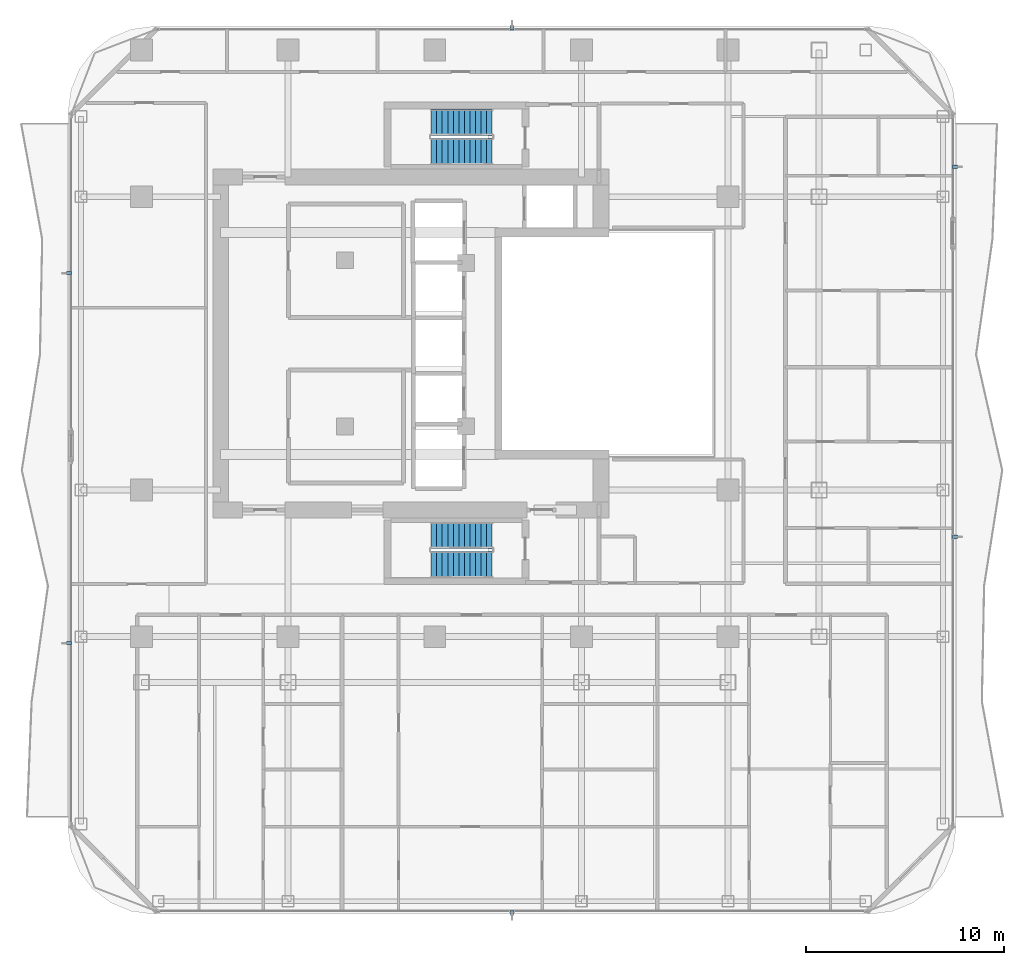
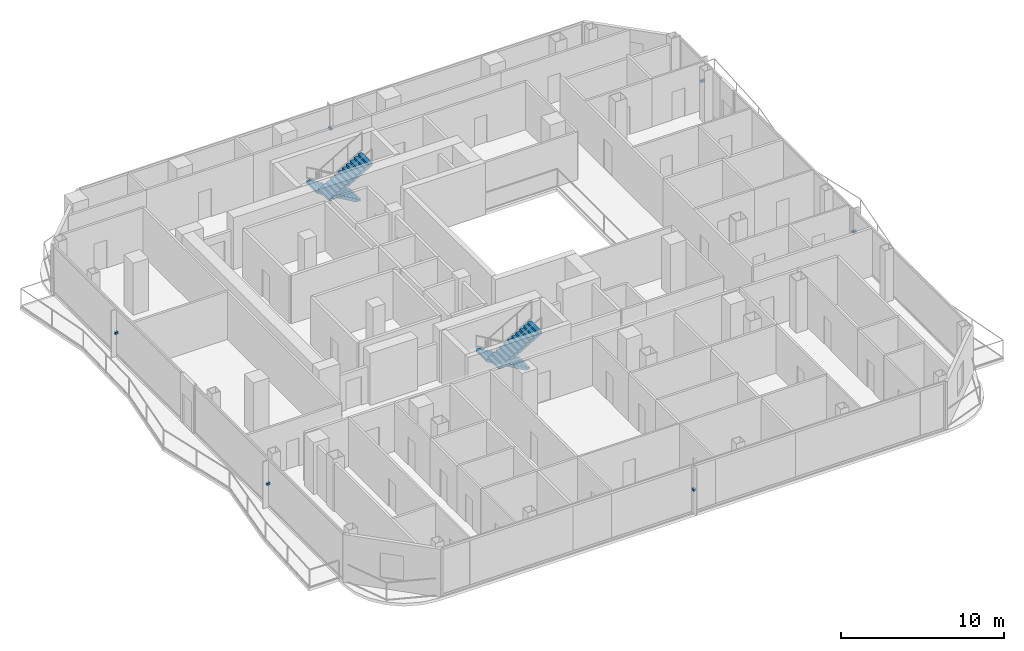
# One storey, part 24 of 27: 6 discrete accessories, 4 stair flights, 2 elements without a shape of their own.
"""IFC4 building model written with IfcOpenShell, lengths in metres."""

import ifcopenshell
import ifcopenshell.guid

model = None  # the IFC model being written
_history = None  # IfcOwnerHistory: only IFC2X3 demands one
_inside = {}  # id of a spatial element -> (the spatial element, [elements in it])
_under = {}  # id of a project, library or spatial element -> (it, [spatial elements below it])
_declared = {}  # id of a project -> (the project, [libraries it declares])
_typed = {}  # id of a type object -> (the type object, [elements of that type])
_made_of = {}  # id of a material, layer set ... -> (it, [elements and type objects made of it])


def new_model(schema):
    """Start an empty IFC model of exactly this schema.

    Asked for "IFC4X3", IfcOpenShell would pick the latest addendum, in which some entities
    have other attributes; the version numbers below select the first issue.
    IFC2X3 requires an IfcOwnerHistory on every rooted entity: one is made here for all.
    """
    global model, _history
    if schema == "IFC4X3":
        model = ifcopenshell.file(schema_version=(4, 3, 0, 0))
    else:
        model = ifcopenshell.file(schema=schema)
    _inside.clear()
    _under.clear()
    _declared.clear()
    _typed.clear()
    _made_of.clear()
    _history = None
    if model.schema == "IFC2X3":
        org = make("IfcOrganization", Name="unknown")
        user = make(
            "IfcPersonAndOrganization",
            ThePerson=make("IfcPerson", FamilyName="unknown"),
            TheOrganization=org,
        )
        app = make(
            "IfcApplication",
            ApplicationDeveloper=org,
            Version="unknown",
            ApplicationFullName="unknown",
            ApplicationIdentifier="unknown",
        )
        _history = make(
            "IfcOwnerHistory",
            OwningUser=user,
            OwningApplication=app,
            ChangeAction="ADDED",
            CreationDate=0,
        )
    return model


def make(cls, **values):
    """One entity of the class cls with the attributes given. An attribute that is None is left unset."""
    return model.create_entity(
        cls, **{name: value for name, value in values.items() if value is not None}
    )


def rooted(cls, **values):
    """An entity with a GlobalId (a new one), such as an element, a storey or a relation."""
    return make(cls, GlobalId=ifcopenshell.guid.new(), OwnerHistory=_history, **values)


def si_unit(unit_type, name, prefix=None):
    """IfcSIUnit, for example si_unit("LENGTHUNIT", "METRE", prefix="MILLI")."""
    return make("IfcSIUnit", UnitType=unit_type, Prefix=prefix, Name=name)


def assignment(units):
    """IfcUnitAssignment: the units of a project."""
    return None if units is None else make("IfcUnitAssignment", Units=units)


def point(xyz):
    """IfcCartesianPoint."""
    return None if xyz is None else make("IfcCartesianPoint", Coordinates=xyz)


def direction(xyz):
    """IfcDirection."""
    return None if xyz is None else make("IfcDirection", DirectionRatios=xyz)


def frame(location, z_axis=None, x_axis=None):
    """IfcAxis2Placement3D, a coordinate frame: its origin and axes. An axis left out is left unset."""
    return make(
        "IfcAxis2Placement3D",
        Location=point(location),
        Axis=direction(z_axis),
        RefDirection=direction(x_axis),
    )


def frame_2d(location, x_axis=None):
    """IfcAxis2Placement2D, a coordinate frame in the plane: its origin and x axis."""
    return make(
        "IfcAxis2Placement2D", Location=point(location), RefDirection=direction(x_axis)
    )


def origin():
    """The frame at (0, 0, 0) with its axes left unset."""
    return frame((0.0, 0.0, 0.0))


def origin_2d():
    """The frame at (0, 0) in the plane with its x axis left unset."""
    return frame_2d((0.0, 0.0))


def place(relative_to, where):
    """IfcLocalPlacement: puts the frame where relative to a parent placement (None: the world)."""
    return make(
        "IfcLocalPlacement", PlacementRelTo=relative_to, RelativePlacement=where
    )


def context(
    kind, dimensions, precision=None, world=None, true_north=None, identifier=None
):
    """IfcGeometricRepresentationContext, for example the 3D "Model" context."""
    return make(
        "IfcGeometricRepresentationContext",
        ContextIdentifier=identifier,
        ContextType=kind,
        CoordinateSpaceDimension=dimensions,
        Precision=precision,
        WorldCoordinateSystem=world,
        TrueNorth=true_north,
    )


def subcontext(parent, identifier, kind, view, scale=None):
    """IfcGeometricRepresentationSubContext, for example "Body" below "Model"."""
    return make(
        "IfcGeometricRepresentationSubContext",
        ContextIdentifier=identifier,
        ContextType=kind,
        ParentContext=parent,
        TargetScale=scale,
        TargetView=view,
    )


def project(units=None, contexts=None):
    """IfcProject with its units and contexts."""
    return rooted(
        "IfcProject",
        Name="project",
        RepresentationContexts=contexts,
        UnitsInContext=assignment(units),
    )


def spatial(cls, under=None, at=None, **own):
    """A site, building, storey or space (cls), placed at a placement, below another one or the project."""
    s = rooted(cls, ObjectPlacement=at, **own)
    if under is not None:
        _under.setdefault(under.id(), (under, []))[1].append(s)
    return s


def polyline(points):
    """IfcPolyline through the points."""
    return make("IfcPolyline", Points=[point(p) for p in points])


def profile(cls, at=None, kind="AREA", **sizes):
    """A parametric profile (cls). Its sizes go by their IFC names, for example OverallWidth=200.0."""
    return make(cls, ProfileType=kind, Position=at, **sizes)


def rectangle(**sizes):
    """IfcRectangleProfileDef."""
    return profile("IfcRectangleProfileDef", **sizes)


def outline(outer, holes=None, kind="AREA"):
    """IfcArbitraryClosedProfileDef: a profile drawn as a closed curve; with holes, ...WithVoids."""
    if holes is None:
        return make("IfcArbitraryClosedProfileDef", ProfileType=kind, OuterCurve=outer)
    return make(
        "IfcArbitraryProfileDefWithVoids",
        ProfileType=kind,
        OuterCurve=outer,
        InnerCurves=holes,
    )


def extrude(swept, where, along, depth):
    """IfcExtrudedAreaSolid: the profile swept, set in the frame where, extruded along a direction by depth."""
    return make(
        "IfcExtrudedAreaSolid",
        SweptArea=swept,
        Position=where,
        ExtrudedDirection=direction(along),
        Depth=depth,
    )


def shape(context_of_items, identifier, shape_type, items):
    """IfcShapeRepresentation: the items that make up one representation, for example the "Body"."""
    return make(
        "IfcShapeRepresentation",
        ContextOfItems=context_of_items,
        RepresentationIdentifier=identifier,
        RepresentationType=shape_type,
        Items=items,
    )


def material(Name=None, Category=None):
    """IfcMaterial."""
    return make("IfcMaterial", Name=Name, Category=Category)


def made_of(thing, what):
    """Note that an element or type object is made of a material, layer set ...; save() writes the relation."""
    if what is not None:
        _made_of.setdefault(what.id(), (what, []))[1].append(thing)
    return thing


def type_object(cls, material=None, **own):
    """A type object (cls), such as IfcWallType, which elements share."""
    return made_of(rooted(cls, **own), material)


def element(
    cls,
    number,
    at=None,
    inside=None,
    cuts=None,
    type_object=None,
    material=None,
    context=None,
    identifier="Body",
    shape_type=None,
    held_by="IfcProductDefinitionShape",
    body=None,
    shapes=None,
    **own,
):
    """One element of the class cls, such as IfcWall. Its Tag is "e" and its number.

    at: its placement. inside: the storey or other place that contains it. cuts: it is an
    opening in that element (IfcRelVoidsElement). A single representation is given by context,
    identifier, shape_type and body (its items); several are given by shapes. held_by: the class
    of the entity that holds the representations. save() writes the other relations.
    """
    e = rooted(cls, Tag="e%d" % number, ObjectPlacement=at, **own)
    if body is not None:
        shapes = [shape(context, identifier, shape_type, body)]
    if shapes is not None:
        e.Representation = make(held_by, Representations=shapes)
    if inside is not None:
        _inside.setdefault(inside.id(), (inside, []))[1].append(e)
    if cuts is not None:
        rooted(
            "IfcRelVoidsElement", RelatingBuildingElement=cuts, RelatedOpeningElement=e
        )
    if type_object is not None:
        _typed.setdefault(type_object.id(), (type_object, []))[1].append(e)
    return made_of(e, material)


def aggregate(whole, parts):
    """IfcRelAggregates: a whole, such as a stair, and the parts it consists of."""
    return rooted("IfcRelAggregates", RelatingObject=whole, RelatedObjects=parts)


def save(model, path):
    """Write the relations noted so far, then the file.

    IfcRelAggregates (storeys below a building ...), IfcRelContainedInSpatialStructure (elements
    in a storey), IfcRelDefinesByType, IfcRelAssociatesMaterial and IfcRelDeclares: one each for
    every whole, place, type object, material and project.
    """
    for whole, parts in _under.values():
        aggregate(whole, parts)
    for where, things in _inside.values():
        rooted(
            "IfcRelContainedInSpatialStructure",
            RelatedElements=things,
            RelatingStructure=where,
        )
    for kind, things in _typed.values():
        rooted("IfcRelDefinesByType", RelatedObjects=things, RelatingType=kind)
    for what, things in _made_of.values():
        rooted("IfcRelAssociatesMaterial", RelatedObjects=things, RelatingMaterial=what)
    for by, libraries in _declared.values():
        rooted("IfcRelDeclares", RelatingContext=by, RelatedDefinitions=libraries)
    model.write(path)


model = new_model("IFC4")

# Units and contexts
model_context = context("Model", 3, precision=1e-05, world=origin(), true_north=direction((0.0, 1.0)))
body_context = subcontext(model_context, "Body", "Model", "MODEL_VIEW")
ifc_project = project(units=[si_unit("LENGTHUNIT", "METRE"), si_unit("AREAUNIT", "SQUARE_METRE"), si_unit("VOLUMEUNIT", "CUBIC_METRE"), si_unit("PLANEANGLEUNIT", "RADIAN"), si_unit("MASSUNIT", "GRAM", prefix="KILO")], contexts=[model_context])

# Site, building, storey
site_placement = place(None, origin())
site = spatial("IfcSite", under=ifc_project, at=site_placement, CompositionType="ELEMENT")
building_placement = place(site_placement, origin())
building = spatial("IfcBuilding", under=site, at=building_placement, Name="Khorvyn Point Tower", CompositionType="ELEMENT")
storey_placement = place(building_placement, frame((0.0, 0.0, 231.300048828125)))
storey = spatial("IfcBuildingStorey", under=building, at=storey_placement, Name="L57", CompositionType="ELEMENT", Elevation=231.300048828125)

# Stair, stair flights
ifc_material_1 = material(Name="Concrete C40/50", Category="concrete")
stair_type = type_object("IfcStairType", Name="Tower Concrete C40/50 Dogleg Exit Stair", PredefinedType="HALF_TURN_STAIR", material=ifc_material_1)
stair_1_placement = place(storey_placement, origin())
stair_1 = element("IfcStair", 1, at=stair_1_placement, inside=storey, type_object=stair_type, Name="L57 Tower Smokeproof Exit Stair South", PredefinedType="HALF_TURN_STAIR")
stair_flight_type = type_object("IfcStairFlightType", Name="Tower Concrete C40/50 Stair Flight", PredefinedType="STRAIGHT", material=ifc_material_1)
stair_flight_1_placement = place(storey_placement, frame((2.89990234375, -9.679931640625, 0.0), z_axis=(0.0, 0.0, 1.0), x_axis=(-1.0, 0.0, 0.0)))
stair_flight_1 = element("IfcStairFlight", 2, at=stair_flight_1_placement, type_object=stair_flight_type, Name="ST-01 flight 1", NumberOfRisers=12, NumberOfTreads=11, PredefinedType="STRAIGHT", RiserHeight=0.1625, TreadLength=0.28, context=body_context, shape_type="SweptSolid", body=[
    extrude(outline(polyline([(0.0, 0.0), (0.0, 0.16259765625), (0.280029296875, 0.16259765625), (0.280029296875, 0.324951171875), (0.56005859375, 0.324951171875), (0.56005859375, 0.487548828125), (0.840087890625, 0.487548828125), (0.840087890625, 0.64990234375), (1.1201171875, 0.64990234375), (1.1201171875, 0.8125), (1.39990234375, 0.8125), (1.39990234375, 0.97509765625), (1.679931640625, 0.97509765625), (1.679931640625, 1.137451171875), (1.9599609375, 1.137451171875), (1.9599609375, 1.300048828125), (2.239990234375, 1.300048828125), (2.239990234375, 1.46240234375), (2.52001953125, 1.46240234375), (2.52001953125, 1.625), (2.800048828125, 1.625), (2.800048828125, 1.78759765625), (3.080078125, 1.78759765625), (3.080078125, 1.949951171875), (3.080078125, 1.6142578125), (0.298583984375, 0.0), (0.0, 0.0)])), frame((0.0, 0.66015625, 0.0), z_axis=(0.0, -1.0, 0.0), x_axis=(1.0, 0.0, 0.0)), (0.0, 0.0, 1.0), 1.320068359375),
])
stair_flight_2_placement = place(storey_placement, frame((-0.179931640625, -11.159912109375, 1.949951171875), z_axis=(0.0, 0.0, 1.0), x_axis=(1.0, 0.0, 0.0)))
stair_flight_2 = element("IfcStairFlight", 3, at=stair_flight_2_placement, type_object=stair_flight_type, Name="ST-01 flight 2", NumberOfRisers=12, NumberOfTreads=11, PredefinedType="STRAIGHT", RiserHeight=0.1625, TreadLength=0.28, context=body_context, shape_type="SweptSolid", body=[
    extrude(outline(polyline([(0.0, 0.0), (0.0, 0.16259765625), (0.280029296875, 0.16259765625), (0.280029296875, 0.324951171875), (0.56005859375, 0.324951171875), (0.56005859375, 0.487548828125), (0.840087890625, 0.487548828125), (0.840087890625, 0.64990234375), (1.1201171875, 0.64990234375), (1.1201171875, 0.8125), (1.39990234375, 0.8125), (1.39990234375, 0.97509765625), (1.679931640625, 0.97509765625), (1.679931640625, 1.137451171875), (1.9599609375, 1.137451171875), (1.9599609375, 1.300048828125), (2.239990234375, 1.300048828125), (2.239990234375, 1.46240234375), (2.52001953125, 1.46240234375), (2.52001953125, 1.625), (2.800048828125, 1.625), (2.800048828125, 1.78759765625), (3.080078125, 1.78759765625), (3.080078125, 1.949951171875), (3.080078125, 1.6142578125), (0.298583984375, 0.0), (0.0, 0.0)])), frame((0.0, 0.66015625, 0.0), z_axis=(0.0, -1.0, 0.0), x_axis=(1.0, 0.0, 0.0)), (0.0, 0.0, 1.0), 1.320068359375),
])
aggregate(stair_1, [stair_flight_1, stair_flight_2])

stair_2_placement = place(storey_placement, origin())
stair_2 = element("IfcStair", 4, at=stair_2_placement, inside=storey, type_object=stair_type, Name="L57 Tower Smokeproof Exit Stair North", PredefinedType="HALF_TURN_STAIR")
stair_flight_3_placement = place(storey_placement, frame((2.89990234375, 11.159912109375, 0.0), z_axis=(0.0, 0.0, 1.0), x_axis=(-1.0, 0.0, 0.0)))
stair_flight_3 = element("IfcStairFlight", 5, at=stair_flight_3_placement, type_object=stair_flight_type, Name="ST-02 flight 1", NumberOfRisers=12, NumberOfTreads=11, PredefinedType="STRAIGHT", RiserHeight=0.1625, TreadLength=0.28, context=body_context, shape_type="SweptSolid", body=[
    extrude(outline(polyline([(0.0, 0.0), (0.0, 0.16259765625), (0.280029296875, 0.16259765625), (0.280029296875, 0.324951171875), (0.56005859375, 0.324951171875), (0.56005859375, 0.487548828125), (0.840087890625, 0.487548828125), (0.840087890625, 0.64990234375), (1.1201171875, 0.64990234375), (1.1201171875, 0.8125), (1.39990234375, 0.8125), (1.39990234375, 0.97509765625), (1.679931640625, 0.97509765625), (1.679931640625, 1.137451171875), (1.9599609375, 1.137451171875), (1.9599609375, 1.300048828125), (2.239990234375, 1.300048828125), (2.239990234375, 1.46240234375), (2.52001953125, 1.46240234375), (2.52001953125, 1.625), (2.800048828125, 1.625), (2.800048828125, 1.78759765625), (3.080078125, 1.78759765625), (3.080078125, 1.949951171875), (3.080078125, 1.6142578125), (0.298583984375, 0.0), (0.0, 0.0)])), frame((0.0, 0.66015625, 0.0), z_axis=(0.0, -1.0, 0.0), x_axis=(1.0, 0.0, 0.0)), (0.0, 0.0, 1.0), 1.320068359375),
])
stair_flight_4_placement = place(storey_placement, frame((-0.179931640625, 9.679931640625, 1.949951171875), z_axis=(0.0, 0.0, 1.0), x_axis=(1.0, 0.0, 0.0)))
stair_flight_4 = element("IfcStairFlight", 6, at=stair_flight_4_placement, type_object=stair_flight_type, Name="ST-02 flight 2", NumberOfRisers=12, NumberOfTreads=11, PredefinedType="STRAIGHT", RiserHeight=0.1625, TreadLength=0.28, context=body_context, shape_type="SweptSolid", body=[
    extrude(outline(polyline([(0.0, 0.0), (0.0, 0.16259765625), (0.280029296875, 0.16259765625), (0.280029296875, 0.324951171875), (0.56005859375, 0.324951171875), (0.56005859375, 0.487548828125), (0.840087890625, 0.487548828125), (0.840087890625, 0.64990234375), (1.1201171875, 0.64990234375), (1.1201171875, 0.8125), (1.39990234375, 0.8125), (1.39990234375, 0.97509765625), (1.679931640625, 0.97509765625), (1.679931640625, 1.137451171875), (1.9599609375, 1.137451171875), (1.9599609375, 1.300048828125), (2.239990234375, 1.300048828125), (2.239990234375, 1.46240234375), (2.52001953125, 1.46240234375), (2.52001953125, 1.625), (2.800048828125, 1.625), (2.800048828125, 1.78759765625), (3.080078125, 1.78759765625), (3.080078125, 1.949951171875), (3.080078125, 1.6142578125), (0.298583984375, 0.0), (0.0, 0.0)])), frame((0.0, 0.66015625, 0.0), z_axis=(0.0, -1.0, 0.0), x_axis=(1.0, 0.0, 0.0)), (0.0, 0.0, 1.0), 1.320068359375),
])
aggregate(stair_2, [stair_flight_3, stair_flight_4])

# Discrete accessories
ifc_material_2 = material(Name="Stainless steel 1.4401", Category="steel")
discrete_accessory_type = type_object("IfcDiscreteAccessoryType", Name="Stainless Steel 316 Facade Fin Fixing Bracket", PredefinedType="BRACKET", material=ifc_material_2)
for number, where, z_axis, x_axis, name in (
    (7, (3.89990234375, -28.75, 1.72021484375), (0.0, 0.0, 1.0), (-1.0, 0.0, 0.0), "L57 Solar Fin Fixing Bracket 01"),
    (8, (3.89990234375, 15.949951171875, 1.72021484375), (0.0, 0.0, 1.0), (1.0, 0.0, 0.0), "L57 Solar Fin Fixing Bracket 01"),
    (9, (-18.449951171875, -15.125, 1.72021484375), (0.0, 0.0, 1.0), (0.0, 1.0, 0.0), "L57 Solar Fin Fixing Bracket 01"),
    (10, (-18.449951171875, 3.544921875, 1.72021484375), (0.0, 0.0, 1.0), (0.0, 1.0, 0.0), "L57 Solar Fin Fixing Bracket 01"),
    (11, (26.25, 8.916015625, 1.72021484375), (0.0, 0.0, 1.0), (0.0, -1.0, 0.0), "L57 Solar Fin Fixing Bracket 01"),
    (12, (26.25, -9.75390625, 1.72021484375), (0.0, 0.0, 1.0), (0.0, -1.0, 0.0), "L57 Solar Fin Fixing Bracket 01"),
):
    element("IfcDiscreteAccessory", number, at=place(storey_placement, frame(where, z_axis=z_axis, x_axis=x_axis)), inside=storey, type_object=discrete_accessory_type, Name=name, PredefinedType="BRACKET", context=body_context, shape_type="SweptSolid", body=[
        extrude(rectangle(XDim=0.159912109375, YDim=0.260009765625, at=origin_2d()), origin(), (0.0, 0.0, 1.0), 0.159912109375),
    ])

save(model, "model.ifc")
